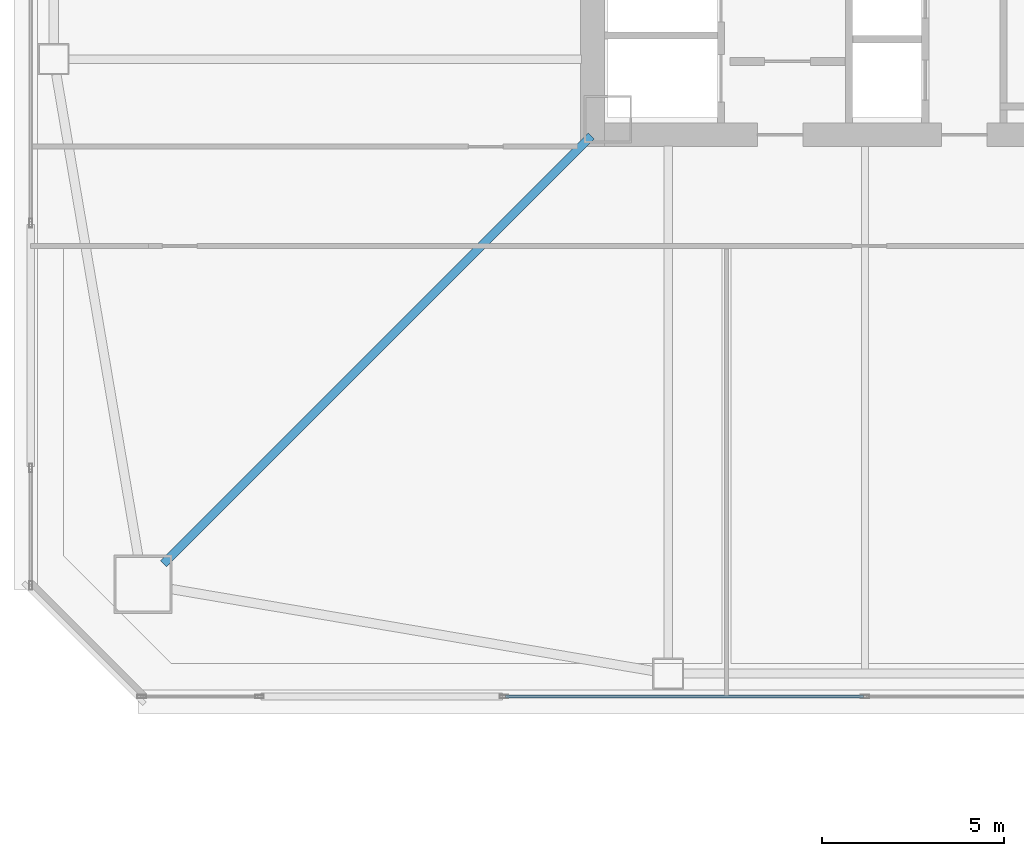
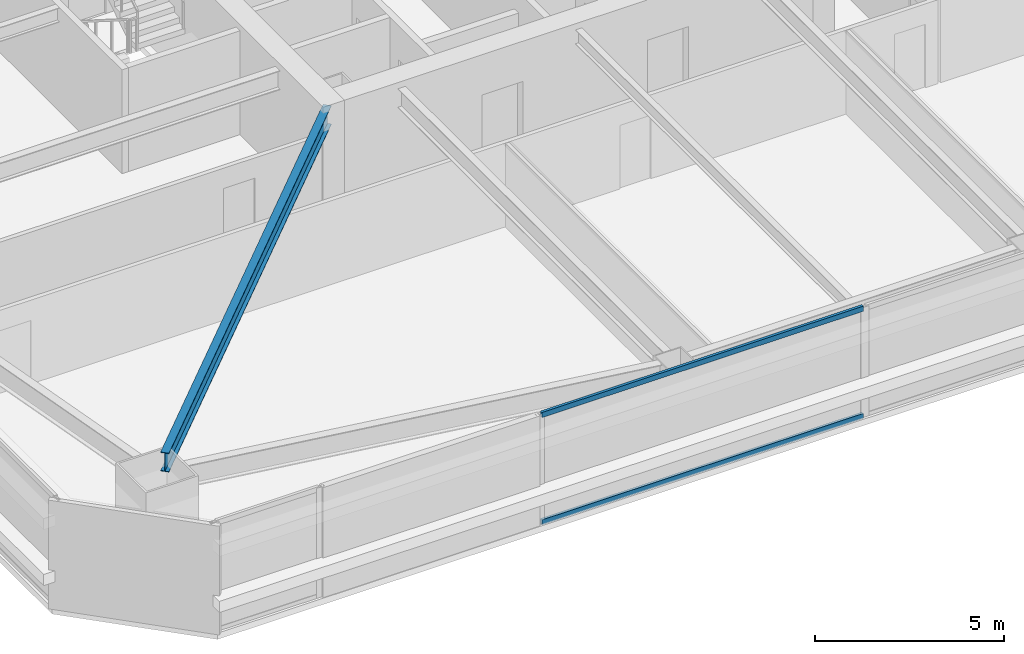
# One storey, part 4 of 51: 2 members, 1 beam, 1 element without a shape of its own.
"""IFC4 building model written with IfcOpenShell, lengths in metres."""

from ifc_helpers import new_model, si_unit, direction, frame, origin, origin_2d, place, context, subcontext, project, spatial, hollow_rectangle, i_section, extrude, material, material_profile, profile_set, type_object, element, aggregate, save


model = new_model("IFC4")

# Units and contexts
model_context = context("Model", 3, precision=1e-05, world=origin(), true_north=direction((0.0, 1.0)))
body_context = subcontext(model_context, "Body", "Model", "MODEL_VIEW")
ifc_project = project(units=[si_unit("LENGTHUNIT", "METRE"), si_unit("AREAUNIT", "SQUARE_METRE"), si_unit("VOLUMEUNIT", "CUBIC_METRE"), si_unit("PLANEANGLEUNIT", "RADIAN"), si_unit("MASSUNIT", "GRAM", prefix="KILO")], contexts=[model_context])

# Site, building, storey
site_placement = place(None, origin())
site = spatial("IfcSite", under=ifc_project, at=site_placement, CompositionType="ELEMENT")
building_placement = place(site_placement, origin())
building = spatial("IfcBuilding", under=site, at=building_placement, Name="Tashvorn Skyway Center", CompositionType="ELEMENT")
storey_placement = place(building_placement, frame((0.0, 0.0, 49.449951171875)))
storey = spatial("IfcBuildingStorey", under=building, at=storey_placement, Name="L12", CompositionType="ELEMENT", Elevation=49.449951171875)

# Beam
ifc_material_1 = material(Name="Steel ASTM A992 Grade 50", Category="steel")
ifc_material_profile_1 = material_profile(ifc_material_1, i_section(OverallWidth=0.22998046875, OverallDepth=0.616943359375, WebThickness=0.01318359375, FlangeThickness=0.022216796875, at=origin_2d()), Name="W24X94")
ifc_profile_set_1 = profile_set([ifc_material_profile_1], Name="Steel ASTM A992 Grade 50")
beam_type = type_object("IfcBeamType", Name="BM-BEAM-W24X94", PredefinedType="BEAM", material=ifc_profile_set_1)
beam_placement = place(storey_placement, frame((22.76220703125, 12.76220703125, 3.04150390625), z_axis=(0.707106781187, 0.707106781187, 0.0), x_axis=(-0.707106781187, 0.707106781187, 0.0)))
element("IfcBeam", 1, at=beam_placement, inside=storey, type_object=beam_type, Name="Tower 1 L12 Primary Floor Girder MC-SW", PredefinedType="BEAM", context=body_context, shape_type="SweptSolid", body=[
    extrude(i_section(OverallWidth=0.22998046875, OverallDepth=0.616943359375, WebThickness=0.01318359375, FlangeThickness=0.022216796875, at=origin_2d()), origin(), (0.0, 0.0, 1.0), 16.591064453125),
])

# Curtain wall, members
ifc_material_2 = material(Name="Thermally broken bronze-anodized aluminium 6063-T6", Category="aluminium")
curtain_wall_type = type_object("IfcCurtainWallType", Name="CW-CW-Z1", PredefinedType="NOTDEFINED", material=ifc_material_2)
curtain_wall_placement = place(storey_placement, origin())
curtain_wall = element("IfcCurtainWall", 2, at=curtain_wall_placement, inside=storey, type_object=curtain_wall_type, Name="Tower 1 L12 South Unitised Curtain Wall Glazing Group 2", PredefinedType="NOTDEFINED")
ifc_material_profile_2 = material_profile(ifc_material_2, hollow_rectangle(XDim=0.0849609375, YDim=0.1650390625, WallThickness=0.0048828125, at=origin_2d()), Name="ALU-TRAN-85x165")
ifc_profile_set_2 = profile_set([ifc_material_profile_2], Name="Thermally broken bronze-anodized aluminium 6063-T6")
member_type = type_object("IfcMemberType", Name="CWT-CW-Z1", PredefinedType="USERDEFINED", material=ifc_profile_set_2)
member_1_placement = place(storey_placement, frame((41.95751953125, 9.1201171875, 0.04248046875), z_axis=(-1.0, 0.0, 0.0), x_axis=(0.0, -1.0, 0.0)))
member_1 = element("IfcMember", 3, at=member_1_placement, type_object=member_type, Name="CW-Z1 transom 2.1", ObjectType="TRANSOM", PredefinedType="USERDEFINED", context=body_context, shape_type="SweptSolid", body=[
    extrude(hollow_rectangle(XDim=0.0849609375, YDim=0.1650390625, WallThickness=0.0048828125, at=origin_2d()), origin(), (0.0, 0.0, 1.0), 9.8125),
])
member_2_placement = place(storey_placement, frame((41.95751953125, 9.1201171875, 3.507568359375), z_axis=(-1.0, 0.0, 0.0), x_axis=(0.0, -1.0, 0.0)))
member_2 = element("IfcMember", 4, at=member_2_placement, type_object=member_type, Name="CW-Z1 transom 2.2", ObjectType="TRANSOM", PredefinedType="USERDEFINED", context=body_context, shape_type="SweptSolid", body=[
    extrude(hollow_rectangle(XDim=0.0849609375, YDim=0.1650390625, WallThickness=0.0048828125, at=origin_2d()), origin(), (0.0, 0.0, 1.0), 9.8125),
])
aggregate(curtain_wall, [member_1, member_2])

save(model, "model.ifc")
